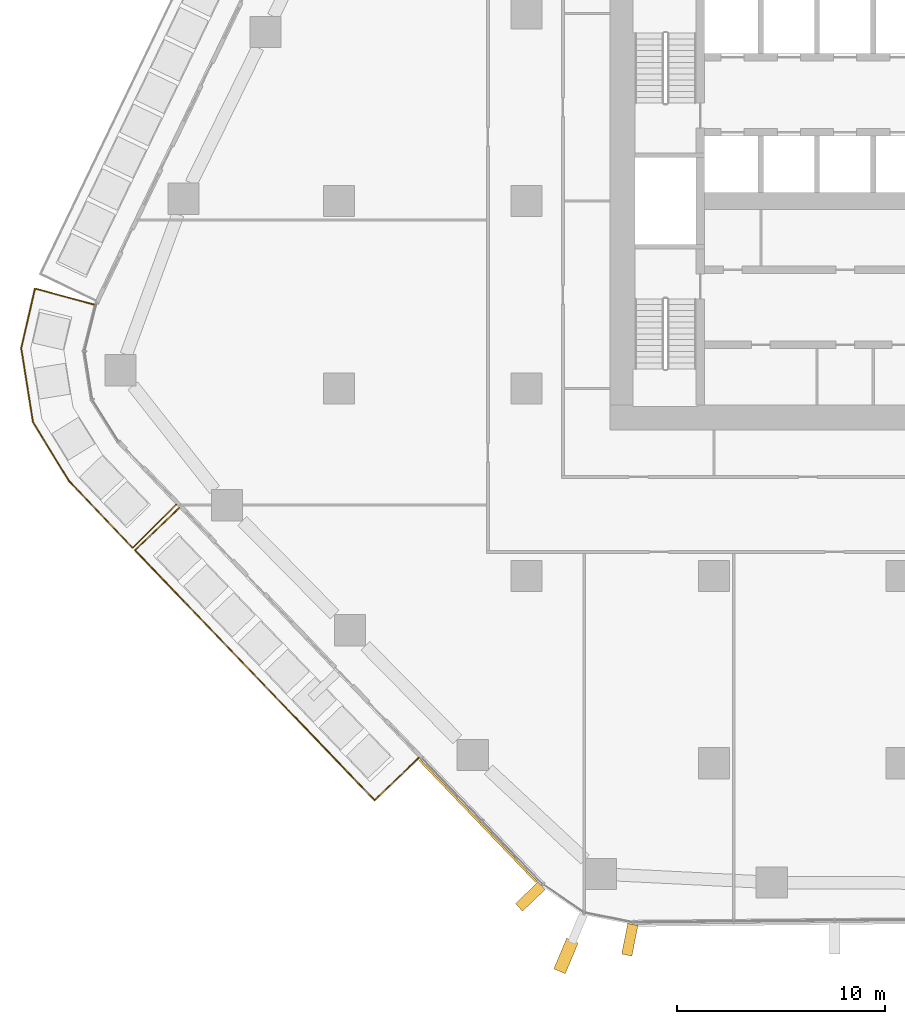
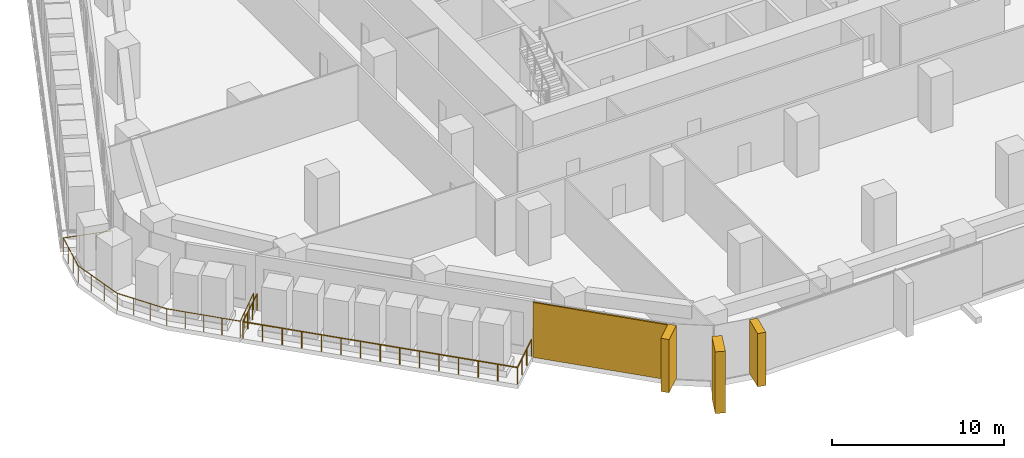
# One storey, part 17 of 23: 4 coverings, 2 railings, 2 elements without a shape of their own.
"""IFC4 building model written with IfcOpenShell, lengths in metres."""

from ifc_helpers import new_model, si_unit, direction, frame, origin, origin_2d, place, context, subcontext, project, spatial, rectangle, circle, extrude, material, layer, layer_set, material_profile, profile_set, type_object, element, aggregate, save


model = new_model("IFC4")

# Units and contexts
model_context = context("Model", 3, precision=1e-05, world=origin(), true_north=direction((0.0, 1.0)))
body_context = subcontext(model_context, "Body", "Model", "MODEL_VIEW")
ifc_project = project(units=[si_unit("LENGTHUNIT", "METRE"), si_unit("AREAUNIT", "SQUARE_METRE"), si_unit("VOLUMEUNIT", "CUBIC_METRE"), si_unit("PLANEANGLEUNIT", "RADIAN"), si_unit("MASSUNIT", "GRAM", prefix="KILO")], contexts=[model_context])

# Site, building, storey
site_placement = place(None, origin())
site = spatial("IfcSite", under=ifc_project, at=site_placement, CompositionType="ELEMENT")
building_placement = place(site_placement, origin())
building = spatial("IfcBuilding", under=site, at=building_placement, Name="Dongbaek Canopy Tower", CompositionType="ELEMENT")
storey_placement = place(building_placement, frame((0.0, 0.0, 84.699951171875)))
storey = spatial("IfcBuildingStorey", under=building, at=storey_placement, Name="L17", CompositionType="ELEMENT", Elevation=84.699951171875)

# Railings
ifc_material_1 = material(Name="Stainless steel", Category="steel")
railing_type = type_object("IfcRailingType", Name="Balcony balustrade 1200", PredefinedType="BALUSTRADE", material=ifc_material_1)
railing_1_placement = place(storey_placement, frame((-34.668212890625, -14.73583984375, 0.0)))
element("IfcRailing", 1, at=railing_1_placement, inside=storey, type_object=railing_type, Name="Balcony guard L17 3", PredefinedType="BALUSTRADE", context=body_context, shape_type="SweptSolid", body=[
    extrude(circle(Radius=0.02392578125, at=origin_2d()), frame((0.0, 0.0, 1.17578125), z_axis=(-0.721896587974, -0.692000951063, 0.0), x_axis=(0.692000951063, -0.721896587974, 0.0)), (0.0, 0.0, 1.0), 2.93994140625),
    extrude(circle(Radius=0.02392578125, at=origin_2d()), frame((-2.122314453125, -2.034423828125, 1.17578125), z_axis=(0.691990250107, -0.721906845623, 0.0), x_axis=(0.721906845623, 0.691990250107, 0.0)), (0.0, 0.0, 1.0), 16.615234375),
    extrude(circle(Radius=0.02392578125, at=origin_2d()), frame((9.375244140625, -14.029052734375, 1.17578125), z_axis=(0.721896587974, 0.692000951063, 0.0), x_axis=(-0.692000951063, 0.721896587974, 0.0)), (0.0, 0.0, 1.0), 2.93994140625),
    extrude(circle(Radius=0.02099609375, at=origin_2d()), origin(), (0.0, 0.0, 1.0), 1.15185546875),
    extrude(circle(Radius=0.02099609375, at=origin_2d()), frame((-0.70751953125, -0.67822265625, 0.0)), (0.0, 0.0, 1.0), 1.15185546875),
    extrude(circle(Radius=0.02099609375, at=origin_2d()), frame((-1.414794921875, -1.356201171875, 0.0)), (0.0, 0.0, 1.0), 1.15185546875),
    extrude(circle(Radius=0.02099609375, at=origin_2d()), frame((-2.122314453125, -2.034423828125, 0.0)), (0.0, 0.0, 1.0), 1.15185546875),
    extrude(circle(Radius=0.02099609375, at=origin_2d()), frame((-1.301025390625, -2.89111328125, 0.0)), (0.0, 0.0, 1.0), 1.15185546875),
    extrude(circle(Radius=0.02099609375, at=origin_2d()), frame((-0.479736328125, -3.748046875, 0.0)), (0.0, 0.0, 1.0), 1.15185546875),
    extrude(circle(Radius=0.02099609375, at=origin_2d()), frame((0.341552734375, -4.604736328125, 0.0)), (0.0, 0.0, 1.0), 1.15185546875),
    extrude(circle(Radius=0.02099609375, at=origin_2d()), frame((1.16259765625, -5.46142578125, 0.0)), (0.0, 0.0, 1.0), 1.15185546875),
    extrude(circle(Radius=0.02099609375, at=origin_2d()), frame((1.98388671875, -6.318115234375, 0.0)), (0.0, 0.0, 1.0), 1.15185546875),
    extrude(circle(Radius=0.02099609375, at=origin_2d()), frame((2.80517578125, -7.175048828125, 0.0)), (0.0, 0.0, 1.0), 1.15185546875),
    extrude(circle(Radius=0.02099609375, at=origin_2d()), frame((3.62646484375, -8.03173828125, 0.0)), (0.0, 0.0, 1.0), 1.15185546875),
    extrude(circle(Radius=0.02099609375, at=origin_2d()), frame((4.44775390625, -8.888427734375, 0.0)), (0.0, 0.0, 1.0), 1.15185546875),
    extrude(circle(Radius=0.02099609375, at=origin_2d()), frame((5.26904296875, -9.745361328125, 0.0)), (0.0, 0.0, 1.0), 1.15185546875),
    extrude(circle(Radius=0.02099609375, at=origin_2d()), frame((6.09033203125, -10.60205078125, 0.0)), (0.0, 0.0, 1.0), 1.15185546875),
    extrude(circle(Radius=0.02099609375, at=origin_2d()), frame((6.911376953125, -11.458740234375, 0.0)), (0.0, 0.0, 1.0), 1.15185546875),
    extrude(circle(Radius=0.02099609375, at=origin_2d()), frame((7.732666015625, -12.3154296875, 0.0)), (0.0, 0.0, 1.0), 1.15185546875),
    extrude(circle(Radius=0.02099609375, at=origin_2d()), frame((8.553955078125, -13.17236328125, 0.0)), (0.0, 0.0, 1.0), 1.15185546875),
    extrude(circle(Radius=0.02099609375, at=origin_2d()), frame((9.375244140625, -14.029052734375, 0.0)), (0.0, 0.0, 1.0), 1.15185546875),
    extrude(circle(Radius=0.02099609375, at=origin_2d()), frame((10.082763671875, -13.350830078125, 0.0)), (0.0, 0.0, 1.0), 1.15185546875),
    extrude(circle(Radius=0.02099609375, at=origin_2d()), frame((10.7900390625, -12.6728515625, 0.0)), (0.0, 0.0, 1.0), 1.15185546875),
    extrude(circle(Radius=0.02099609375, at=origin_2d()), frame((11.49755859375, -11.99462890625, 0.0)), (0.0, 0.0, 1.0), 1.15185546875),
])
railing_2_placement = place(storey_placement, frame((-38.76025390625, -4.974365234375, 0.0)))
element("IfcRailing", 2, at=railing_2_placement, inside=storey, type_object=railing_type, Name="Balcony guard L17 6", PredefinedType="BALUSTRADE", context=body_context, shape_type="SweptSolid", body=[
    extrude(circle(Radius=0.02392578125, at=origin_2d()), frame((0.0, 0.0, 1.17578125), z_axis=(-0.964744659181, 0.263187656592, 0.0), x_axis=(-0.263187656592, -0.964744659181, 0.0)), (0.0, 0.0, 1.0), 2.940673828125),
    extrude(circle(Radius=0.02392578125, at=origin_2d()), frame((-2.8369140625, 0.77392578125, 1.17578125), z_axis=(-0.223746572611, -0.974647357378, 0.0), x_axis=(0.974647357378, -0.223746572611, 0.0)), (0.0, 0.0, 1.0), 2.9482421875),
    extrude(circle(Radius=0.02392578125, at=origin_2d()), frame((-3.49658203125, -2.099609375, 1.17578125), z_axis=(0.15753134515, -0.987513987392, 0.0), x_axis=(0.987513987392, 0.15753134515, 0.0)), (0.0, 0.0, 1.0), 3.587646484375),
    extrude(circle(Radius=0.02392578125, at=origin_2d()), frame((-2.931396484375, -5.642578125, 1.17578125), z_axis=(0.521485979685, -0.853259850803, 0.0), x_axis=(0.853259850803, 0.521485979685, 0.0)), (0.0, 0.0, 1.0), 3.29443359375),
    extrude(circle(Radius=0.02392578125, at=origin_2d()), frame((-1.21337890625, -8.45361328125, 1.17578125), z_axis=(0.689551176953, -0.724236960091, 0.0), x_axis=(0.724236960091, 0.689551176953, 0.0)), (0.0, 0.0, 1.0), 4.45556640625),
    extrude(circle(Radius=0.02392578125, at=origin_2d()), frame((1.85888671875, -11.680419921875, 1.17578125), z_axis=(0.707604743523, 0.706608467925, 0.0), x_axis=(-0.706608467925, 0.707604743523, 0.0)), (0.0, 0.0, 1.0), 2.940673828125),
    extrude(circle(Radius=0.02099609375, at=origin_2d()), origin(), (0.0, 0.0, 1.0), 1.15185546875),
    extrude(circle(Radius=0.02099609375, at=origin_2d()), frame((-0.945556640625, 0.258056640625, 0.0)), (0.0, 0.0, 1.0), 1.15185546875),
    extrude(circle(Radius=0.02099609375, at=origin_2d()), frame((-1.891357421875, 0.515869140625, 0.0)), (0.0, 0.0, 1.0), 1.15185546875),
    extrude(circle(Radius=0.02099609375, at=origin_2d()), frame((-2.8369140625, 0.77392578125, 0.0)), (0.0, 0.0, 1.0), 1.15185546875),
    extrude(circle(Radius=0.02099609375, at=origin_2d()), frame((-3.056884765625, -0.183837890625, 0.0)), (0.0, 0.0, 1.0), 1.15185546875),
    extrude(circle(Radius=0.02099609375, at=origin_2d()), frame((-3.276611328125, -1.141845703125, 0.0)), (0.0, 0.0, 1.0), 1.15185546875),
    extrude(circle(Radius=0.02099609375, at=origin_2d()), frame((-3.49658203125, -2.099609375, 0.0)), (0.0, 0.0, 1.0), 1.15185546875),
    extrude(circle(Radius=0.02099609375, at=origin_2d()), frame((-3.30810546875, -3.280517578125, 0.0)), (0.0, 0.0, 1.0), 1.15185546875),
    extrude(circle(Radius=0.02099609375, at=origin_2d()), frame((-3.119873046875, -4.461669921875, 0.0)), (0.0, 0.0, 1.0), 1.15185546875),
    extrude(circle(Radius=0.02099609375, at=origin_2d()), frame((-2.931396484375, -5.642578125, 0.0)), (0.0, 0.0, 1.0), 1.15185546875),
    extrude(circle(Radius=0.02099609375, at=origin_2d()), frame((-2.358642578125, -6.57958984375, 0.0)), (0.0, 0.0, 1.0), 1.15185546875),
    extrude(circle(Radius=0.02099609375, at=origin_2d()), frame((-1.7861328125, -7.5166015625, 0.0)), (0.0, 0.0, 1.0), 1.15185546875),
    extrude(circle(Radius=0.02099609375, at=origin_2d()), frame((-1.21337890625, -8.45361328125, 0.0)), (0.0, 0.0, 1.0), 1.15185546875),
    extrude(circle(Radius=0.02099609375, at=origin_2d()), frame((-0.4453125, -9.26025390625, 0.0)), (0.0, 0.0, 1.0), 1.15185546875),
    extrude(circle(Radius=0.02099609375, at=origin_2d()), frame((0.32275390625, -10.06689453125, 0.0)), (0.0, 0.0, 1.0), 1.15185546875),
    extrude(circle(Radius=0.02099609375, at=origin_2d()), frame((1.0908203125, -10.873779296875, 0.0)), (0.0, 0.0, 1.0), 1.15185546875),
    extrude(circle(Radius=0.02099609375, at=origin_2d()), frame((1.85888671875, -11.680419921875, 0.0)), (0.0, 0.0, 1.0), 1.15185546875),
    extrude(circle(Radius=0.02099609375, at=origin_2d()), frame((2.552490234375, -10.98779296875, 0.0)), (0.0, 0.0, 1.0), 1.15185546875),
    extrude(circle(Radius=0.02099609375, at=origin_2d()), frame((3.24609375, -10.295166015625, 0.0)), (0.0, 0.0, 1.0), 1.15185546875),
    extrude(circle(Radius=0.02099609375, at=origin_2d()), frame((3.939697265625, -9.6025390625, 0.0)), (0.0, 0.0, 1.0), 1.15185546875),
])

# Curtain wall, covering
ifc_material_2 = material(Name="Aluminium 6063-T6 pale anodised", Category="aluminium")
ifc_layer_1 = layer(ifc_material_2, 0.199951171875)
ifc_layer_set_1 = layer_set([ifc_layer_1], Name="CW-1 unitised tower curtain wall")
curtain_wall_type = type_object("IfcCurtainWallType", Name="CW-1 unitised tower curtain wall", PredefinedType="NOTDEFINED", material=ifc_layer_set_1)
curtain_wall_1_placement = place(storey_placement, origin())
curtain_wall_1 = element("IfcCurtainWall", 3, at=curtain_wall_1_placement, inside=storey, type_object=curtain_wall_type, Name="CW-1 curtain wall K4.1", PredefinedType="NOTDEFINED")
ifc_material_3 = material(Name="Aluminium 6063-T6 pale metal fin", Category="aluminium")
ifc_material_profile_1 = material_profile(ifc_material_3, rectangle(XDim=1.60009765625, YDim=0.60009765625, at=origin_2d()), Name="Corner fin CN1 600 x 1600 pale metal")
ifc_profile_set_1 = profile_set([ifc_material_profile_1], Name="Aluminium 6063-T6 pale metal fin")
covering_type_1 = type_object("IfcCoveringType", Name="Corner fin CN1 600 x 1600 pale metal", PredefinedType="CLADDING", material=ifc_profile_set_1)
covering_1_placement = place(storey_placement, frame((-16.10205078125, -36.24560546875, -0.199951171875), z_axis=(0.0, 0.0, 1.0), x_axis=(-0.388200893991, -0.921574774994, 0.0)))
covering_1 = element("IfcCovering", 4, at=covering_1_placement, type_object=covering_type_1, Name="Corner fin L17 L17 K4", PredefinedType="CLADDING", context=body_context, shape_type="SweptSolid", body=[
    extrude(rectangle(XDim=1.60009765625, YDim=0.60009765625, at=origin_2d()), origin(), (0.0, 0.0, 1.0), 4.3798828125),
])

# Curtain wall, coverings
curtain_wall_2_placement = place(storey_placement, origin())
curtain_wall_2 = element("IfcCurtainWall", 5, at=curtain_wall_2_placement, inside=storey, type_object=curtain_wall_type, Name="CW-1 curtain wall F3.1", PredefinedType="NOTDEFINED")
ifc_material_4 = material(Name="Perforated aluminium 6063-T6 pale metal screen", Category="aluminium")
ifc_layer_2 = layer(ifc_material_4, 0.10009765625)
ifc_layer_set_2 = layer_set([ifc_layer_2], Name="Facet screen FS1 100 pale metal")
covering_type_2 = type_object("IfcCoveringType", Name="Facet screen FS1 100 pale metal", PredefinedType="CLADDING", material=ifc_layer_set_2)
covering_2_placement = place(storey_placement, frame((-20.319091796875, -29.77197265625, 0.0), z_axis=(0.0, 0.0, 1.0), x_axis=(0.691985693745, -0.721911213137, 0.0)))
covering_2 = element("IfcCovering", 6, at=covering_2_placement, type_object=covering_type_2, Name="Facet screen L17 F3", PredefinedType="CLADDING", context=body_context, shape_type="SweptSolid", body=[
    extrude(rectangle(XDim=8.117431640625, YDim=0.10009765625, at=origin_2d()), origin(), (0.0, 0.0, 1.0), 3.89990234375),
])
ifc_material_5 = material(Name="Aluminium 6063-T6 pale metal fin", Category="aluminium")
ifc_material_profile_2 = material_profile(ifc_material_5, rectangle(XDim=1.5, YDim=0.5, at=origin_2d()), Name="Fin FN1 500 x 1500 pale metal")
ifc_profile_set_2 = profile_set([ifc_material_profile_2], Name="Aluminium 6063-T6 pale metal fin")
covering_type_3 = type_object("IfcCoveringType", Name="Fin FN1 500 x 1500 pale metal", PredefinedType="CLADDING", material=ifc_profile_set_2)
covering_3_placement = place(storey_placement, frame((-17.818115234375, -33.3984375, 0.1201171875), z_axis=(0.0, 0.0, 1.0), x_axis=(-0.721910788047, -0.691986137217, 0.0)))
covering_3 = element("IfcCovering", 7, at=covering_3_placement, type_object=covering_type_3, Name="Fin F3.1.3", PredefinedType="CLADDING", context=body_context, shape_type="SweptSolid", body=[
    extrude(rectangle(XDim=1.5, YDim=0.5, at=origin_2d()), origin(), (0.0, 0.0, 1.0), 3.780029296875),
])
aggregate(curtain_wall_2, [covering_3, covering_2])

# Covering
covering_4_placement = place(storey_placement, frame((-13.0380859375, -35.468505859375, 0.1201171875), z_axis=(0.0, 0.0, 1.0), x_axis=(-0.193510612192, -0.981098182125, 0.0)))
covering_4 = element("IfcCovering", 8, at=covering_4_placement, type_object=covering_type_3, Name="Fin K4.1.3", PredefinedType="CLADDING", context=body_context, shape_type="SweptSolid", body=[
    extrude(rectangle(XDim=1.5, YDim=0.5, at=origin_2d()), origin(), (0.0, 0.0, 1.0), 3.780029296875),
])

aggregate(curtain_wall_1, [covering_4, covering_1])

save(model, "model.ifc")
